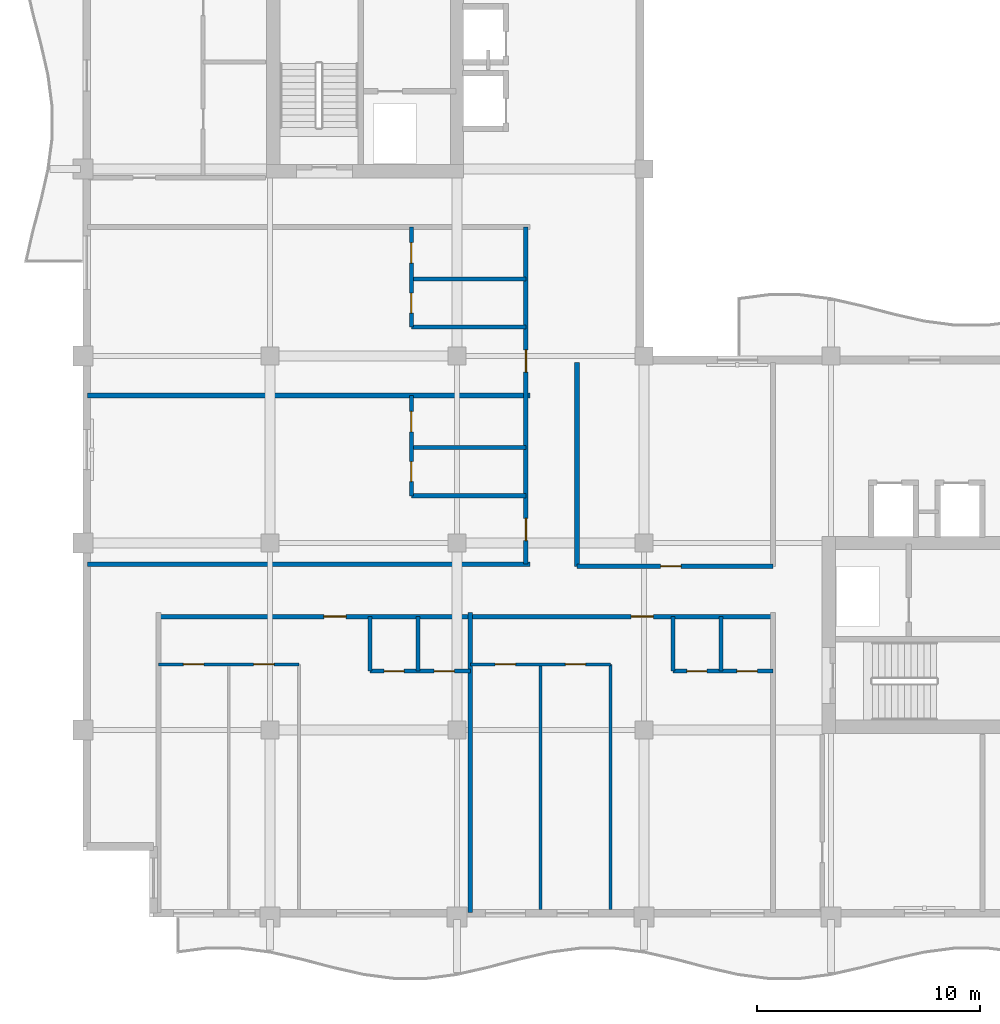
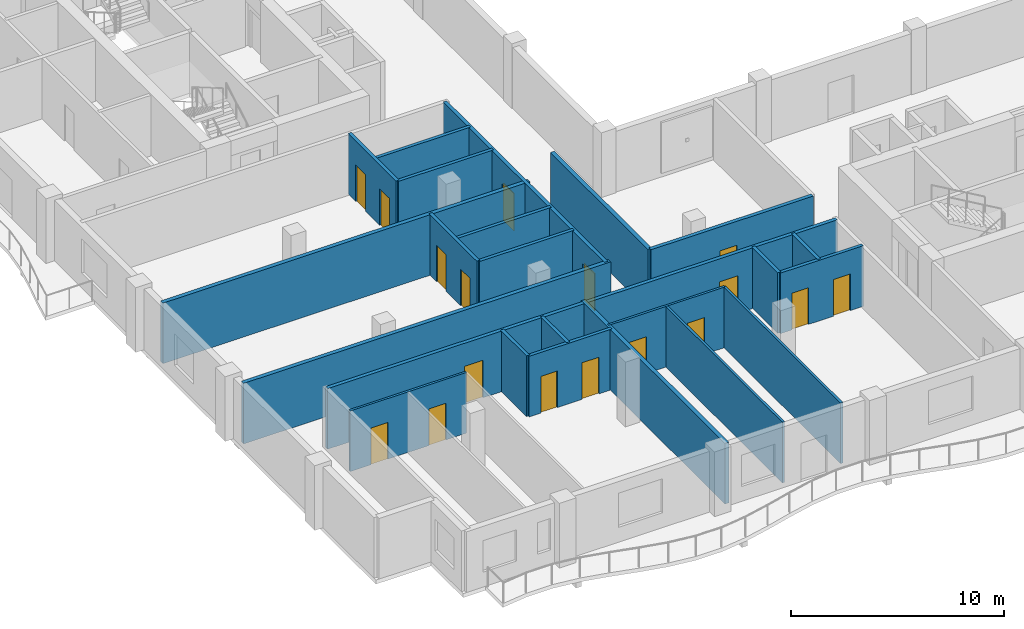
# One storey, part 3 of 12: 23 walls, 17 doors, 17 openings.
"""IFC4 building model written with IfcOpenShell, lengths in metres."""

from ifc_helpers import new_model, si_unit, direction, frame, frame_2d, origin, place, context, subcontext, project, spatial, rectangle, extrude, material, layer, layer_set, type_object, element, fill, save


model = new_model("IFC4")

# Units and contexts
model_context = context("Model", 3, precision=1e-05, world=origin(), true_north=direction((0.0, 1.0)))
body_context = subcontext(model_context, "Body", "Model", "MODEL_VIEW")
ifc_project = project(units=[si_unit("LENGTHUNIT", "METRE"), si_unit("AREAUNIT", "SQUARE_METRE"), si_unit("VOLUMEUNIT", "CUBIC_METRE"), si_unit("PLANEANGLEUNIT", "RADIAN"), si_unit("MASSUNIT", "GRAM", prefix="KILO")], contexts=[model_context])

# Site, building, storey
site_placement = place(None, origin())
site = spatial("IfcSite", under=ifc_project, at=site_placement, CompositionType="ELEMENT")
building_placement = place(site_placement, origin())
building = spatial("IfcBuilding", under=site, at=building_placement, Name="Koriwani Terraces Tower", CompositionType="ELEMENT")
storey_placement = place(building_placement, frame((0.0, 0.0, 256.39990234375)))
storey = spatial("IfcBuildingStorey", under=building, at=storey_placement, Name="L63", CompositionType="ELEMENT", Elevation=256.39990234375)

# Wall, opening, door
ifc_material_1 = material(Name="Autoclaved Cellular Concrete Blockwork", Category="masonry")
ifc_layer_1 = layer(ifc_material_1, 0.199951171875, Name="Autoclaved Cellular Concrete Blockwork")
ifc_layer_set_1 = layer_set([ifc_layer_1], Name="Autoclaved Cellular Concrete Blockwork")
wall_type_1 = type_object("IfcWallType", Name="WALL_CORRIDOR_200", PredefinedType="PARTITIONING", material=ifc_layer_set_1)
wall_1_placement = place(storey_placement, frame((30.60009765625, 24.14990234375, 0.0), z_axis=(0.0, 0.0, 1.0), x_axis=(1.0, 0.0, 0.0)))
wall_1 = element("IfcWall", 1, at=wall_1_placement, inside=storey, type_object=wall_type_1, Name="L63 Interior Wall WIC4S-L63", PredefinedType="PARTITIONING", context=body_context, shape_type="SweptSolid", body=[
    extrude(rectangle(XDim=8.7998046875, YDim=0.199951171875, at=frame_2d((4.39990234375, 0.0))), origin(), (0.0, 0.0, 1.0), 3.47021484375),
])
opening_1_placement = place(wall_1_placement, frame((3.75, 0.0, 0.0)))
opening_1 = element("IfcOpeningElement", 2, at=opening_1_placement, cuts=wall_1, Name="Opening D-06", PredefinedType="OPENING", context=body_context, shape_type="SweptSolid", body=[
    extrude(rectangle(XDim=0.919921875, YDim=2.10009765625, at=frame_2d((0.4599609375, 1.050048828125))), frame((0.0, 0.10986328125, 0.0), z_axis=(0.0, -1.0, 0.0), x_axis=(1.0, 0.0, 0.0)), (0.0, 0.0, 1.0), 0.219970703125),
])
ifc_material_2 = material(Name="Architectural Oak Fire Door", Category="wood")
door_type_1 = type_object("IfcDoorType", Name="DOOR_ROOM_INT_920X2100", OperationType="NOTDEFINED", PredefinedType="DOOR", material=ifc_material_2)
door_1_placement = place(opening_1_placement, origin())
door_1 = element("IfcDoor", 3, at=door_1_placement, inside=storey, type_object=door_type_1, Name="L63 High-Rise Court Lounge Door", OperationType="SINGLE_SWING_LEFT", OverallHeight=2.10009765625, OverallWidth=0.919921875, PredefinedType="DOOR", context=body_context, shape_type="SweptSolid", body=[
    extrude(rectangle(XDim=0.919921875, YDim=2.10009765625, at=frame_2d((0.4599609375, 1.050048828125))), frame((0.0, 0.02490234375, 0.0), z_axis=(0.0, -1.0, 0.0), x_axis=(1.0, 0.0, 0.0)), (0.0, 0.0, 1.0), 0.050048828125),
])
fill(opening_1, door_1)

# Wall, openings, doors
wall_2_placement = place(storey_placement, frame((11.800048828125, 21.89990234375, 0.0), z_axis=(0.0, 0.0, 1.0), x_axis=(1.0, 0.0, 0.0)))
wall_2 = element("IfcWall", 4, at=wall_2_placement, inside=storey, type_object=wall_type_1, Name="L63 Interior Wall WRCOR-L63-SW-0", PredefinedType="PARTITIONING", context=body_context, shape_type="SweptSolid", body=[
    extrude(rectangle(XDim=27.599853515625, YDim=0.199951171875, at=frame_2d((13.7998046875, 0.0))), origin(), (0.0, 0.0, 1.0), 3.47021484375),
])
opening_2_placement = place(wall_2_placement, frame((7.419921875, 0.0, 0.0)))
opening_2 = element("IfcOpeningElement", 5, at=opening_2_placement, cuts=wall_2, Name="Opening D-05", PredefinedType="OPENING", context=body_context, shape_type="SweptSolid", body=[
    extrude(rectangle(XDim=1.0, YDim=2.14990234375, at=frame_2d((0.5, 1.074951171875))), frame((0.0, 0.10986328125, 0.0), z_axis=(0.0, -1.0, 0.0), x_axis=(1.0, 0.0, 0.0)), (0.0, 0.0, 1.0), 0.219970703125),
])
opening_3_placement = place(wall_2_placement, frame((21.219970703125, 0.0, 0.0)))
opening_3 = element("IfcOpeningElement", 6, at=opening_3_placement, cuts=wall_2, Name="Opening D-05", PredefinedType="OPENING", context=body_context, shape_type="SweptSolid", body=[
    extrude(rectangle(XDim=1.0, YDim=2.14990234375, at=frame_2d((0.5, 1.074951171875))), frame((0.0, 0.10986328125, 0.0), z_axis=(0.0, -1.0, 0.0), x_axis=(1.0, 0.0, 0.0)), (0.0, 0.0, 1.0), 0.219970703125),
])
door_type_2 = type_object("IfcDoorType", Name="DOOR_SUITE_ENTRY_1000X2150", OperationType="NOTDEFINED", PredefinedType="DOOR", material=ifc_material_2)
door_2_placement = place(opening_2_placement, origin())
door_2 = element("IfcDoor", 7, at=door_2_placement, inside=storey, type_object=door_type_2, Name="Apartment 63SW1 Entrance Door", OperationType="SINGLE_SWING_RIGHT", OverallHeight=2.14990234375, OverallWidth=1.0, PredefinedType="DOOR", context=body_context, shape_type="SweptSolid", body=[
    extrude(rectangle(XDim=1.0, YDim=2.14990234375, at=frame_2d((0.5, 1.074951171875))), frame((0.0, 0.02490234375, 0.0), z_axis=(0.0, -1.0, 0.0), x_axis=(1.0, 0.0, 0.0)), (0.0, 0.0, 1.0), 0.050048828125),
])
fill(opening_2, door_2)
door_3_placement = place(opening_3_placement, origin())
door_3 = element("IfcDoor", 8, at=door_3_placement, inside=storey, type_object=door_type_2, Name="Apartment 63SW2 Entrance Door", OperationType="SINGLE_SWING_LEFT", OverallHeight=2.14990234375, OverallWidth=1.0, PredefinedType="DOOR", context=body_context, shape_type="SweptSolid", body=[
    extrude(rectangle(XDim=1.0, YDim=2.14990234375, at=frame_2d((0.5, 1.074951171875))), frame((0.0, 0.02490234375, 0.0), z_axis=(0.0, -1.0, 0.0), x_axis=(1.0, 0.0, 0.0)), (0.0, 0.0, 1.0), 0.050048828125),
])
fill(opening_3, door_3)

wall_3_placement = place(storey_placement, frame((28.300048828125, 24.25, 0.0), z_axis=(0.0, 0.0, 1.0), x_axis=(0.0, 1.0, 0.0)))
wall_3 = element("IfcWall", 9, at=wall_3_placement, inside=storey, type_object=wall_type_1, Name="L63 Interior Wall WRCOR-L63-NE-0", PredefinedType="PARTITIONING", context=body_context, shape_type="SweptSolid", body=[
    extrude(rectangle(XDim=15.14990234375, YDim=0.199951171875, at=frame_2d((7.574951171875, 0.0))), origin(), (0.0, 0.0, 1.0), 3.47021484375),
])
opening_4_placement = place(wall_3_placement, frame((1.0576171875, 0.0, 0.0)))
opening_4 = element("IfcOpeningElement", 10, at=opening_4_placement, cuts=wall_3, Name="Opening D-05", PredefinedType="OPENING", context=body_context, shape_type="SweptSolid", body=[
    extrude(rectangle(XDim=1.0, YDim=2.14990234375, at=frame_2d((0.5, 1.074951171875))), frame((0.0, 0.10986328125, 0.0), z_axis=(0.0, -1.0, 0.0), x_axis=(1.0, 0.0, 0.0)), (0.0, 0.0, 1.0), 0.219970703125),
])
opening_5_placement = place(wall_3_placement, frame((8.632568359375, 0.0, 0.0)))
opening_5 = element("IfcOpeningElement", 11, at=opening_5_placement, cuts=wall_3, Name="Opening D-05", PredefinedType="OPENING", context=body_context, shape_type="SweptSolid", body=[
    extrude(rectangle(XDim=1.0, YDim=2.14990234375, at=frame_2d((0.5, 1.074951171875))), frame((0.0, 0.10986328125, 0.0), z_axis=(0.0, -1.0, 0.0), x_axis=(1.0, 0.0, 0.0)), (0.0, 0.0, 1.0), 0.219970703125),
])
door_4_placement = place(opening_4_placement, origin())
door_4 = element("IfcDoor", 12, at=door_4_placement, inside=storey, type_object=door_type_2, Name="Apartment 63NE1 Entrance Door", OperationType="SINGLE_SWING_RIGHT", OverallHeight=2.14990234375, OverallWidth=1.0, PredefinedType="DOOR", context=body_context, shape_type="SweptSolid", body=[
    extrude(rectangle(XDim=1.0, YDim=2.14990234375, at=frame_2d((0.5, 1.074951171875))), frame((0.0, 0.02490234375, 0.0), z_axis=(0.0, -1.0, 0.0), x_axis=(1.0, 0.0, 0.0)), (0.0, 0.0, 1.0), 0.050048828125),
])
fill(opening_4, door_4)
door_5_placement = place(opening_5_placement, origin())
door_5 = element("IfcDoor", 13, at=door_5_placement, inside=storey, type_object=door_type_2, Name="Apartment 63NE2 Entrance Door", OperationType="SINGLE_SWING_LEFT", OverallHeight=2.14990234375, OverallWidth=1.0, PredefinedType="DOOR", context=body_context, shape_type="SweptSolid", body=[
    extrude(rectangle(XDim=1.0, YDim=2.14990234375, at=frame_2d((0.5, 1.074951171875))), frame((0.0, 0.02490234375, 0.0), z_axis=(0.0, -1.0, 0.0), x_axis=(1.0, 0.0, 0.0)), (0.0, 0.0, 1.0), 0.050048828125),
])
fill(opening_5, door_5)

# Walls
ifc_layer_2 = layer(ifc_material_1, 0.219970703125, Name="Autoclaved Cellular Concrete Blockwork")
ifc_layer_set_2 = layer_set([ifc_layer_2], Name="Autoclaved Cellular Concrete Blockwork")
wall_type_2 = type_object("IfcWallType", Name="WALL_DEMISING_220", PredefinedType="PARTITIONING", material=ifc_layer_set_2)
wall_4_placement = place(storey_placement, frame((30.60009765625, 24.14990234375, 0.0), z_axis=(0.0, 0.0, 1.0), x_axis=(0.0, 1.0, 0.0)))
element("IfcWall", 14, at=wall_4_placement, inside=storey, type_object=wall_type_2, Name="L63 Interior Wall WIC4SW-L63", PredefinedType="PARTITIONING", context=body_context, shape_type="SweptSolid", body=[
    extrude(rectangle(XDim=9.150146484375, YDim=0.219970703125, at=frame_2d((4.5751953125, 0.0))), origin(), (0.0, 0.0, 1.0), 3.47021484375),
])
wall_5_placement = place(storey_placement, frame((25.800048828125, 8.60009765625, 0.0), z_axis=(0.0, 0.0, 1.0), x_axis=(0.0, 1.0, 0.0)))
element("IfcWall", 15, at=wall_5_placement, inside=storey, type_object=wall_type_2, Name="L63 Interior Wall WRDEM-L63-SW-1", PredefinedType="PARTITIONING", context=body_context, shape_type="SweptSolid", body=[
    extrude(rectangle(XDim=13.47998046875, YDim=0.219970703125, at=frame_2d((6.739990234375, 0.0))), origin(), (0.0, 0.0, 1.0), 3.47021484375),
])
for number, where, z_axis, x_axis, name in (
    (16, (8.60009765625, 24.25, 0.0), (0.0, 0.0, 1.0), (1.0, 0.0, 0.0), "L63 Interior Wall WRDEM-L63-NE-0"),
    (17, (8.60009765625, 31.824951171875, 0.0), (0.0, 0.0, 1.0), (1.0, 0.0, 0.0), "L63 Interior Wall WRDEM-L63-NE-1"),
):
    element("IfcWall", number, at=place(storey_placement, frame(where, z_axis=z_axis, x_axis=x_axis)), inside=storey, type_object=wall_type_2, Name=name, PredefinedType="PARTITIONING", context=body_context, shape_type="SweptSolid", body=[
        extrude(rectangle(XDim=19.8798828125, YDim=0.219970703125, at=frame_2d((9.93994140625, 0.0))), origin(), (0.0, 0.0, 1.0), 3.47021484375),
    ])

# Wall, openings, doors
ifc_material_3 = material(Name="Fire-Rated Acoustic Gypsum Partition", Category="masonry")
ifc_layer_3 = layer(ifc_material_3, 0.125, Name="Fire-Rated Acoustic Gypsum Partition")
ifc_layer_set_3 = layer_set([ifc_layer_3], Name="Fire-Rated Acoustic Gypsum Partition")
wall_type_3 = type_object("IfcWallType", Name="WALL_INT_125", PredefinedType="PARTITIONING", material=ifc_layer_set_3)
wall_6_placement = place(storey_placement, frame((11.800048828125, 19.75, 0.0), z_axis=(0.0, 0.0, 1.0), x_axis=(1.0, 0.0, 0.0)))
wall_6 = element("IfcWall", 18, at=wall_6_placement, inside=storey, type_object=wall_type_3, Name="L63 Interior Wall WRBH-L63-SW-0", PredefinedType="PARTITIONING", context=body_context, shape_type="SweptSolid", body=[
    extrude(rectangle(XDim=6.300048828125, YDim=0.125, at=frame_2d((3.14990234375, 0.0))), origin(), (0.0, 0.0, 1.0), 3.47021484375),
])
opening_6_placement = place(wall_6_placement, frame((1.114990234375, 0.0, 0.0)))
opening_6 = element("IfcOpeningElement", 19, at=opening_6_placement, cuts=wall_6, Name="Opening D-06", PredefinedType="OPENING", context=body_context, shape_type="SweptSolid", body=[
    extrude(rectangle(XDim=0.919921875, YDim=2.10009765625, at=frame_2d((0.4599609375, 1.050048828125))), frame((0.0, 0.072509765625, 0.0), z_axis=(0.0, -1.0, 0.0), x_axis=(1.0, 0.0, 0.0)), (0.0, 0.0, 1.0), 0.14501953125),
])
opening_7_placement = place(wall_6_placement, frame((4.264892578125, 0.0, 0.0)))
opening_7 = element("IfcOpeningElement", 20, at=opening_7_placement, cuts=wall_6, Name="Opening D-06", PredefinedType="OPENING", context=body_context, shape_type="SweptSolid", body=[
    extrude(rectangle(XDim=0.919921875, YDim=2.10009765625, at=frame_2d((0.4599609375, 1.050048828125))), frame((0.0, 0.072509765625, 0.0), z_axis=(0.0, -1.0, 0.0), x_axis=(1.0, 0.0, 0.0)), (0.0, 0.0, 1.0), 0.14501953125),
])
door_6_placement = place(opening_6_placement, origin())
door_6 = element("IfcDoor", 21, at=door_6_placement, inside=storey, type_object=door_type_1, Name="Apartment 63SW1 Master Bedroom Door", OperationType="SINGLE_SWING_LEFT", OverallHeight=2.10009765625, OverallWidth=0.919921875, PredefinedType="DOOR", context=body_context, shape_type="SweptSolid", body=[
    extrude(rectangle(XDim=0.919921875, YDim=2.10009765625, at=frame_2d((0.4599609375, 1.050048828125))), frame((0.0, 0.02490234375, 0.0), z_axis=(0.0, -1.0, 0.0), x_axis=(1.0, 0.0, 0.0)), (0.0, 0.0, 1.0), 0.050048828125),
])
fill(opening_6, door_6)
door_7_placement = place(opening_7_placement, origin())
door_7 = element("IfcDoor", 22, at=door_7_placement, inside=storey, type_object=door_type_1, Name="Apartment 63SW1 Bedroom 2 Door", OperationType="SINGLE_SWING_RIGHT", OverallHeight=2.10009765625, OverallWidth=0.919921875, PredefinedType="DOOR", context=body_context, shape_type="SweptSolid", body=[
    extrude(rectangle(XDim=0.919921875, YDim=2.10009765625, at=frame_2d((0.4599609375, 1.050048828125))), frame((0.0, 0.02490234375, 0.0), z_axis=(0.0, -1.0, 0.0), x_axis=(1.0, 0.0, 0.0)), (0.0, 0.0, 1.0), 0.050048828125),
])
fill(opening_7, door_7)

# Walls
for number, where, z_axis, x_axis, name in (
    (23, (28.949951171875, 8.75, 0.0), (0.0, 0.0, 1.0), (0.0, 1.0, 0.0), "L63 Interior Wall WRB12-L63-SW-1"),
    (24, (32.10009765625, 8.75, 0.0), (0.0, 0.0, 1.0), (0.0, 1.0, 0.0), "L63 Interior Wall WRB2L-L63-SW-1"),
):
    element("IfcWall", number, at=place(storey_placement, frame(where, z_axis=z_axis, x_axis=x_axis)), inside=storey, type_object=wall_type_3, Name=name, PredefinedType="PARTITIONING", context=body_context, shape_type="SweptSolid", body=[
        extrude(rectangle(XDim=11.0, YDim=0.125, at=frame_2d((5.5, 0.0))), origin(), (0.0, 0.0, 1.0), 3.47021484375),
    ])

# Wall, openings, doors
wall_7_placement = place(storey_placement, frame((25.800048828125, 19.75, 0.0), z_axis=(0.0, 0.0, 1.0), x_axis=(1.0, 0.0, 0.0)))
wall_7 = element("IfcWall", 25, at=wall_7_placement, inside=storey, type_object=wall_type_3, Name="L63 Interior Wall WRBH-L63-SW-1", PredefinedType="PARTITIONING", context=body_context, shape_type="SweptSolid", body=[
    extrude(rectangle(XDim=6.300048828125, YDim=0.125, at=frame_2d((3.14990234375, 0.0))), origin(), (0.0, 0.0, 1.0), 3.47021484375),
])
opening_8_placement = place(wall_7_placement, frame((1.114990234375, 0.0, 0.0)))
opening_8 = element("IfcOpeningElement", 26, at=opening_8_placement, cuts=wall_7, Name="Opening D-06", PredefinedType="OPENING", context=body_context, shape_type="SweptSolid", body=[
    extrude(rectangle(XDim=0.919921875, YDim=2.10009765625, at=frame_2d((0.4599609375, 1.050048828125))), frame((0.0, 0.072509765625, 0.0), z_axis=(0.0, -1.0, 0.0), x_axis=(1.0, 0.0, 0.0)), (0.0, 0.0, 1.0), 0.14501953125),
])
opening_9_placement = place(wall_7_placement, frame((4.264892578125, 0.0, 0.0)))
opening_9 = element("IfcOpeningElement", 27, at=opening_9_placement, cuts=wall_7, Name="Opening D-06", PredefinedType="OPENING", context=body_context, shape_type="SweptSolid", body=[
    extrude(rectangle(XDim=0.919921875, YDim=2.10009765625, at=frame_2d((0.4599609375, 1.050048828125))), frame((0.0, 0.072509765625, 0.0), z_axis=(0.0, -1.0, 0.0), x_axis=(1.0, 0.0, 0.0)), (0.0, 0.0, 1.0), 0.14501953125),
])
door_8_placement = place(opening_8_placement, origin())
door_8 = element("IfcDoor", 28, at=door_8_placement, inside=storey, type_object=door_type_1, Name="Apartment 63SW2 Master Bedroom Door", OperationType="SINGLE_SWING_RIGHT", OverallHeight=2.10009765625, OverallWidth=0.919921875, PredefinedType="DOOR", context=body_context, shape_type="SweptSolid", body=[
    extrude(rectangle(XDim=0.919921875, YDim=2.10009765625, at=frame_2d((0.4599609375, 1.050048828125))), frame((0.0, 0.02490234375, 0.0), z_axis=(0.0, -1.0, 0.0), x_axis=(1.0, 0.0, 0.0)), (0.0, 0.0, 1.0), 0.050048828125),
])
fill(opening_8, door_8)
door_9_placement = place(opening_9_placement, origin())
door_9 = element("IfcDoor", 29, at=door_9_placement, inside=storey, type_object=door_type_1, Name="Apartment 63SW2 Bedroom 2 Door", OperationType="SINGLE_SWING_LEFT", OverallHeight=2.10009765625, OverallWidth=0.919921875, PredefinedType="DOOR", context=body_context, shape_type="SweptSolid", body=[
    extrude(rectangle(XDim=0.919921875, YDim=2.10009765625, at=frame_2d((0.4599609375, 1.050048828125))), frame((0.0, 0.02490234375, 0.0), z_axis=(0.0, -1.0, 0.0), x_axis=(1.0, 0.0, 0.0)), (0.0, 0.0, 1.0), 0.050048828125),
])
fill(opening_9, door_9)

ifc_layer_4 = layer(ifc_material_3, 0.179931640625, Name="Fire-Rated Acoustic Gypsum Partition")
ifc_layer_set_4 = layer_set([ifc_layer_4], Name="Fire-Rated Acoustic Gypsum Partition")
wall_type_4 = type_object("IfcWallType", Name="WALL_PLUMBING_180", PredefinedType="PLUMBINGWALL", material=ifc_layer_set_4)
wall_8_placement = place(storey_placement, frame((21.300048828125, 19.449951171875, 0.0), z_axis=(0.0, 0.0, 1.0), x_axis=(1.0, 0.0, 0.0)))
wall_8 = element("IfcWall", 30, at=wall_8_placement, inside=storey, type_object=wall_type_4, Name="L63 Interior Wall WRSVC-L63-SW-0", PredefinedType="PLUMBINGWALL", context=body_context, shape_type="SweptSolid", body=[
    extrude(rectangle(XDim=4.5, YDim=0.179931640625, at=frame_2d((2.25, 0.0))), origin(), (0.0, 0.0, 1.0), 3.47021484375),
])
opening_10_placement = place(wall_8_placement, frame((0.6298828125, 0.0, 0.0)))
opening_10 = element("IfcOpeningElement", 31, at=opening_10_placement, cuts=wall_8, Name="Opening D-07", PredefinedType="OPENING", context=body_context, shape_type="SweptSolid", body=[
    extrude(rectangle(XDim=0.89990234375, YDim=2.10009765625, at=frame_2d((0.449951171875, 1.050048828125))), frame((0.0, 0.10009765625, 0.0), z_axis=(0.0, -1.0, 0.0), x_axis=(1.0, 0.0, 0.0)), (0.0, 0.0, 1.0), 0.199951171875),
])
opening_11_placement = place(wall_8_placement, frame((2.8701171875, 0.0, 0.0)))
opening_11 = element("IfcOpeningElement", 32, at=opening_11_placement, cuts=wall_8, Name="Opening D-06", PredefinedType="OPENING", context=body_context, shape_type="SweptSolid", body=[
    extrude(rectangle(XDim=0.919921875, YDim=2.10009765625, at=frame_2d((0.4599609375, 1.050048828125))), frame((0.0, 0.10009765625, 0.0), z_axis=(0.0, -1.0, 0.0), x_axis=(1.0, 0.0, 0.0)), (0.0, 0.0, 1.0), 0.199951171875),
])
door_type_3 = type_object("IfcDoorType", Name="DOOR_BATH_INT_900X2100", OperationType="NOTDEFINED", PredefinedType="DOOR", material=ifc_material_2)
door_10_placement = place(opening_10_placement, origin())
door_10 = element("IfcDoor", 33, at=door_10_placement, inside=storey, type_object=door_type_3, Name="Apartment 63SW1 Bathroom Door", OperationType="SINGLE_SWING_LEFT", OverallHeight=2.10009765625, OverallWidth=0.89990234375, PredefinedType="DOOR", context=body_context, shape_type="SweptSolid", body=[
    extrude(rectangle(XDim=0.89990234375, YDim=2.10009765625, at=frame_2d((0.449951171875, 1.050048828125))), frame((0.0, 0.02490234375, 0.0), z_axis=(0.0, -1.0, 0.0), x_axis=(1.0, 0.0, 0.0)), (0.0, 0.0, 1.0), 0.050048828125),
])
fill(opening_10, door_10)
door_11_placement = place(opening_11_placement, origin())
door_11 = element("IfcDoor", 34, at=door_11_placement, inside=storey, type_object=door_type_1, Name="Apartment 63SW1 Kitchen Door", OperationType="SINGLE_SWING_RIGHT", OverallHeight=2.10009765625, OverallWidth=0.919921875, PredefinedType="DOOR", context=body_context, shape_type="SweptSolid", body=[
    extrude(rectangle(XDim=0.919921875, YDim=2.10009765625, at=frame_2d((0.4599609375, 1.050048828125))), frame((0.0, 0.02490234375, 0.0), z_axis=(0.0, -1.0, 0.0), x_axis=(1.0, 0.0, 0.0)), (0.0, 0.0, 1.0), 0.050048828125),
])
fill(opening_11, door_11)

# Walls
for number, where, z_axis, x_axis, name in (
    (35, (21.300048828125, 19.449951171875, 0.0), (0.0, 0.0, 1.0), (0.0, 1.0, 0.0), "L63 Interior Wall WRSVCS-L63-SW-0"),
    (36, (23.4599609375, 19.449951171875, 0.0), (0.0, 0.0, 1.0), (0.0, 1.0, 0.0), "L63 Interior Wall WRSVCM-L63-SW-0"),
):
    element("IfcWall", number, at=place(storey_placement, frame(where, z_axis=z_axis, x_axis=x_axis)), inside=storey, type_object=wall_type_4, Name=name, PredefinedType="PLUMBINGWALL", context=body_context, shape_type="SweptSolid", body=[
        extrude(rectangle(XDim=2.449951171875, YDim=0.179931640625, at=frame_2d((1.22509765625, 0.0))), origin(), (0.0, 0.0, 1.0), 3.47021484375),
    ])

# Wall, openings, doors
wall_9_placement = place(storey_placement, frame((34.89990234375, 19.449951171875, 0.0), z_axis=(0.0, 0.0, 1.0), x_axis=(1.0, 0.0, 0.0)))
wall_9 = element("IfcWall", 37, at=wall_9_placement, inside=storey, type_object=wall_type_4, Name="L63 Interior Wall WRSVC-L63-SW-1", PredefinedType="PLUMBINGWALL", context=body_context, shape_type="SweptSolid", body=[
    extrude(rectangle(XDim=4.5, YDim=0.179931640625, at=frame_2d((2.25, 0.0))), origin(), (0.0, 0.0, 1.0), 3.47021484375),
])
opening_12_placement = place(wall_9_placement, frame((0.6298828125, 0.0, 0.0)))
opening_12 = element("IfcOpeningElement", 38, at=opening_12_placement, cuts=wall_9, Name="Opening D-07", PredefinedType="OPENING", context=body_context, shape_type="SweptSolid", body=[
    extrude(rectangle(XDim=0.89990234375, YDim=2.10009765625, at=frame_2d((0.449951171875, 1.050048828125))), frame((0.0, 0.10009765625, 0.0), z_axis=(0.0, -1.0, 0.0), x_axis=(1.0, 0.0, 0.0)), (0.0, 0.0, 1.0), 0.199951171875),
])
opening_13_placement = place(wall_9_placement, frame((2.8701171875, 0.0, 0.0)))
opening_13 = element("IfcOpeningElement", 39, at=opening_13_placement, cuts=wall_9, Name="Opening D-06", PredefinedType="OPENING", context=body_context, shape_type="SweptSolid", body=[
    extrude(rectangle(XDim=0.919921875, YDim=2.10009765625, at=frame_2d((0.4599609375, 1.050048828125))), frame((0.0, 0.10009765625, 0.0), z_axis=(0.0, -1.0, 0.0), x_axis=(1.0, 0.0, 0.0)), (0.0, 0.0, 1.0), 0.199951171875),
])
door_12_placement = place(opening_12_placement, origin())
door_12 = element("IfcDoor", 40, at=door_12_placement, inside=storey, type_object=door_type_3, Name="Apartment 63SW2 Bathroom Door", OperationType="SINGLE_SWING_RIGHT", OverallHeight=2.10009765625, OverallWidth=0.89990234375, PredefinedType="DOOR", context=body_context, shape_type="SweptSolid", body=[
    extrude(rectangle(XDim=0.89990234375, YDim=2.10009765625, at=frame_2d((0.449951171875, 1.050048828125))), frame((0.0, 0.02490234375, 0.0), z_axis=(0.0, -1.0, 0.0), x_axis=(1.0, 0.0, 0.0)), (0.0, 0.0, 1.0), 0.050048828125),
])
fill(opening_12, door_12)
door_13_placement = place(opening_13_placement, origin())
door_13 = element("IfcDoor", 41, at=door_13_placement, inside=storey, type_object=door_type_1, Name="Apartment 63SW2 Kitchen Door", OperationType="SINGLE_SWING_LEFT", OverallHeight=2.10009765625, OverallWidth=0.919921875, PredefinedType="DOOR", context=body_context, shape_type="SweptSolid", body=[
    extrude(rectangle(XDim=0.919921875, YDim=2.10009765625, at=frame_2d((0.4599609375, 1.050048828125))), frame((0.0, 0.02490234375, 0.0), z_axis=(0.0, -1.0, 0.0), x_axis=(1.0, 0.0, 0.0)), (0.0, 0.0, 1.0), 0.050048828125),
])
fill(opening_13, door_13)

# Walls
for number, where, z_axis, x_axis, name in (
    (42, (34.89990234375, 19.449951171875, 0.0), (0.0, 0.0, 1.0), (0.0, 1.0, 0.0), "L63 Interior Wall WRSVCS-L63-SW-1"),
    (43, (37.06005859375, 19.449951171875, 0.0), (0.0, 0.0, 1.0), (0.0, 1.0, 0.0), "L63 Interior Wall WRSVCM-L63-SW-1"),
):
    element("IfcWall", number, at=place(storey_placement, frame(where, z_axis=z_axis, x_axis=x_axis)), inside=storey, type_object=wall_type_4, Name=name, PredefinedType="PLUMBINGWALL", context=body_context, shape_type="SweptSolid", body=[
        extrude(rectangle(XDim=2.449951171875, YDim=0.179931640625, at=frame_2d((1.22509765625, 0.0))), origin(), (0.0, 0.0, 1.0), 3.47021484375),
    ])

# Wall, openings, doors
wall_10_placement = place(storey_placement, frame((23.14990234375, 27.324951171875, 0.0), z_axis=(0.0, 0.0, 1.0), x_axis=(0.0, 1.0, 0.0)))
wall_10 = element("IfcWall", 44, at=wall_10_placement, inside=storey, type_object=wall_type_4, Name="L63 Interior Wall WRSVC-L63-NE-0", PredefinedType="PLUMBINGWALL", context=body_context, shape_type="SweptSolid", body=[
    extrude(rectangle(XDim=4.5, YDim=0.179931640625, at=frame_2d((2.25, 0.0))), origin(), (0.0, 0.0, 1.0), 3.47021484375),
])
opening_14_placement = place(wall_10_placement, frame((0.6298828125, 0.0, 0.0)))
opening_14 = element("IfcOpeningElement", 45, at=opening_14_placement, cuts=wall_10, Name="Opening D-07", PredefinedType="OPENING", context=body_context, shape_type="SweptSolid", body=[
    extrude(rectangle(XDim=0.89990234375, YDim=2.10009765625, at=frame_2d((0.449951171875, 1.050048828125))), frame((0.0, 0.10009765625, 0.0), z_axis=(0.0, -1.0, 0.0), x_axis=(1.0, 0.0, 0.0)), (0.0, 0.0, 1.0), 0.199951171875),
])
opening_15_placement = place(wall_10_placement, frame((2.8701171875, 0.0, 0.0)))
opening_15 = element("IfcOpeningElement", 46, at=opening_15_placement, cuts=wall_10, Name="Opening D-06", PredefinedType="OPENING", context=body_context, shape_type="SweptSolid", body=[
    extrude(rectangle(XDim=0.919921875, YDim=2.10009765625, at=frame_2d((0.4599609375, 1.050048828125))), frame((0.0, 0.10009765625, 0.0), z_axis=(0.0, -1.0, 0.0), x_axis=(1.0, 0.0, 0.0)), (0.0, 0.0, 1.0), 0.199951171875),
])
door_14_placement = place(opening_14_placement, origin())
door_14 = element("IfcDoor", 47, at=door_14_placement, inside=storey, type_object=door_type_3, Name="Apartment 63NE1 Bathroom Door", OperationType="SINGLE_SWING_LEFT", OverallHeight=2.10009765625, OverallWidth=0.89990234375, PredefinedType="DOOR", context=body_context, shape_type="SweptSolid", body=[
    extrude(rectangle(XDim=0.89990234375, YDim=2.10009765625, at=frame_2d((0.449951171875, 1.050048828125))), frame((0.0, 0.02490234375, 0.0), z_axis=(0.0, -1.0, 0.0), x_axis=(1.0, 0.0, 0.0)), (0.0, 0.0, 1.0), 0.050048828125),
])
fill(opening_14, door_14)
door_15_placement = place(opening_15_placement, origin())
door_15 = element("IfcDoor", 48, at=door_15_placement, inside=storey, type_object=door_type_1, Name="Apartment 63NE1 Kitchen Door", OperationType="SINGLE_SWING_RIGHT", OverallHeight=2.10009765625, OverallWidth=0.919921875, PredefinedType="DOOR", context=body_context, shape_type="SweptSolid", body=[
    extrude(rectangle(XDim=0.919921875, YDim=2.10009765625, at=frame_2d((0.4599609375, 1.050048828125))), frame((0.0, 0.02490234375, 0.0), z_axis=(0.0, -1.0, 0.0), x_axis=(1.0, 0.0, 0.0)), (0.0, 0.0, 1.0), 0.050048828125),
])
fill(opening_15, door_15)

# Walls
for number, where, z_axis, x_axis, name in (
    (49, (23.14990234375, 27.324951171875, 0.0), (0.0, 0.0, 1.0), (1.0, 0.0, 0.0), "L63 Interior Wall WRSVCS-L63-NE-0"),
    (50, (23.14990234375, 29.485107421875, 0.0), (0.0, 0.0, 1.0), (1.0, 0.0, 0.0), "L63 Interior Wall WRSVCM-L63-NE-0"),
):
    element("IfcWall", number, at=place(storey_placement, frame(where, z_axis=z_axis, x_axis=x_axis)), inside=storey, type_object=wall_type_4, Name=name, PredefinedType="PLUMBINGWALL", context=body_context, shape_type="SweptSolid", body=[
        extrude(rectangle(XDim=5.150146484375, YDim=0.179931640625, at=frame_2d((2.5751953125, 0.0))), origin(), (0.0, 0.0, 1.0), 3.47021484375),
    ])

# Wall, openings, doors
wall_11_placement = place(storey_placement, frame((23.14990234375, 34.89990234375, 0.0), z_axis=(0.0, 0.0, 1.0), x_axis=(0.0, 1.0, 0.0)))
wall_11 = element("IfcWall", 51, at=wall_11_placement, inside=storey, type_object=wall_type_4, Name="L63 Interior Wall WRSVC-L63-NE-1", PredefinedType="PLUMBINGWALL", context=body_context, shape_type="SweptSolid", body=[
    extrude(rectangle(XDim=4.5, YDim=0.179931640625, at=frame_2d((2.25, 0.0))), origin(), (0.0, 0.0, 1.0), 3.47021484375),
])
opening_16_placement = place(wall_11_placement, frame((0.6298828125, 0.0, 0.0)))
opening_16 = element("IfcOpeningElement", 52, at=opening_16_placement, cuts=wall_11, Name="Opening D-07", PredefinedType="OPENING", context=body_context, shape_type="SweptSolid", body=[
    extrude(rectangle(XDim=0.89990234375, YDim=2.10009765625, at=frame_2d((0.449951171875, 1.050048828125))), frame((0.0, 0.10009765625, 0.0), z_axis=(0.0, -1.0, 0.0), x_axis=(1.0, 0.0, 0.0)), (0.0, 0.0, 1.0), 0.199951171875),
])
opening_17_placement = place(wall_11_placement, frame((2.8701171875, 0.0, 0.0)))
opening_17 = element("IfcOpeningElement", 53, at=opening_17_placement, cuts=wall_11, Name="Opening D-06", PredefinedType="OPENING", context=body_context, shape_type="SweptSolid", body=[
    extrude(rectangle(XDim=0.919921875, YDim=2.10009765625, at=frame_2d((0.4599609375, 1.050048828125))), frame((0.0, 0.10009765625, 0.0), z_axis=(0.0, -1.0, 0.0), x_axis=(1.0, 0.0, 0.0)), (0.0, 0.0, 1.0), 0.199951171875),
])
door_16_placement = place(opening_16_placement, origin())
door_16 = element("IfcDoor", 54, at=door_16_placement, inside=storey, type_object=door_type_3, Name="Apartment 63NE2 Bathroom Door", OperationType="SINGLE_SWING_RIGHT", OverallHeight=2.10009765625, OverallWidth=0.89990234375, PredefinedType="DOOR", context=body_context, shape_type="SweptSolid", body=[
    extrude(rectangle(XDim=0.89990234375, YDim=2.10009765625, at=frame_2d((0.449951171875, 1.050048828125))), frame((0.0, 0.02490234375, 0.0), z_axis=(0.0, -1.0, 0.0), x_axis=(1.0, 0.0, 0.0)), (0.0, 0.0, 1.0), 0.050048828125),
])
fill(opening_16, door_16)
door_17_placement = place(opening_17_placement, origin())
door_17 = element("IfcDoor", 55, at=door_17_placement, inside=storey, type_object=door_type_1, Name="Apartment 63NE2 Kitchen Door", OperationType="SINGLE_SWING_LEFT", OverallHeight=2.10009765625, OverallWidth=0.919921875, PredefinedType="DOOR", context=body_context, shape_type="SweptSolid", body=[
    extrude(rectangle(XDim=0.919921875, YDim=2.10009765625, at=frame_2d((0.4599609375, 1.050048828125))), frame((0.0, 0.02490234375, 0.0), z_axis=(0.0, -1.0, 0.0), x_axis=(1.0, 0.0, 0.0)), (0.0, 0.0, 1.0), 0.050048828125),
])
fill(opening_17, door_17)

# Walls
for number, where, z_axis, x_axis, name in (
    (56, (23.14990234375, 34.89990234375, 0.0), (0.0, 0.0, 1.0), (1.0, 0.0, 0.0), "L63 Interior Wall WRSVCS-L63-NE-1"),
    (57, (23.14990234375, 37.06005859375, 0.0), (0.0, 0.0, 1.0), (1.0, 0.0, 0.0), "L63 Interior Wall WRSVCM-L63-NE-1"),
):
    element("IfcWall", number, at=place(storey_placement, frame(where, z_axis=z_axis, x_axis=x_axis)), inside=storey, type_object=wall_type_4, Name=name, PredefinedType="PLUMBINGWALL", context=body_context, shape_type="SweptSolid", body=[
        extrude(rectangle(XDim=5.150146484375, YDim=0.179931640625, at=frame_2d((2.5751953125, 0.0))), origin(), (0.0, 0.0, 1.0), 3.47021484375),
    ])

save(model, "model.ifc")
